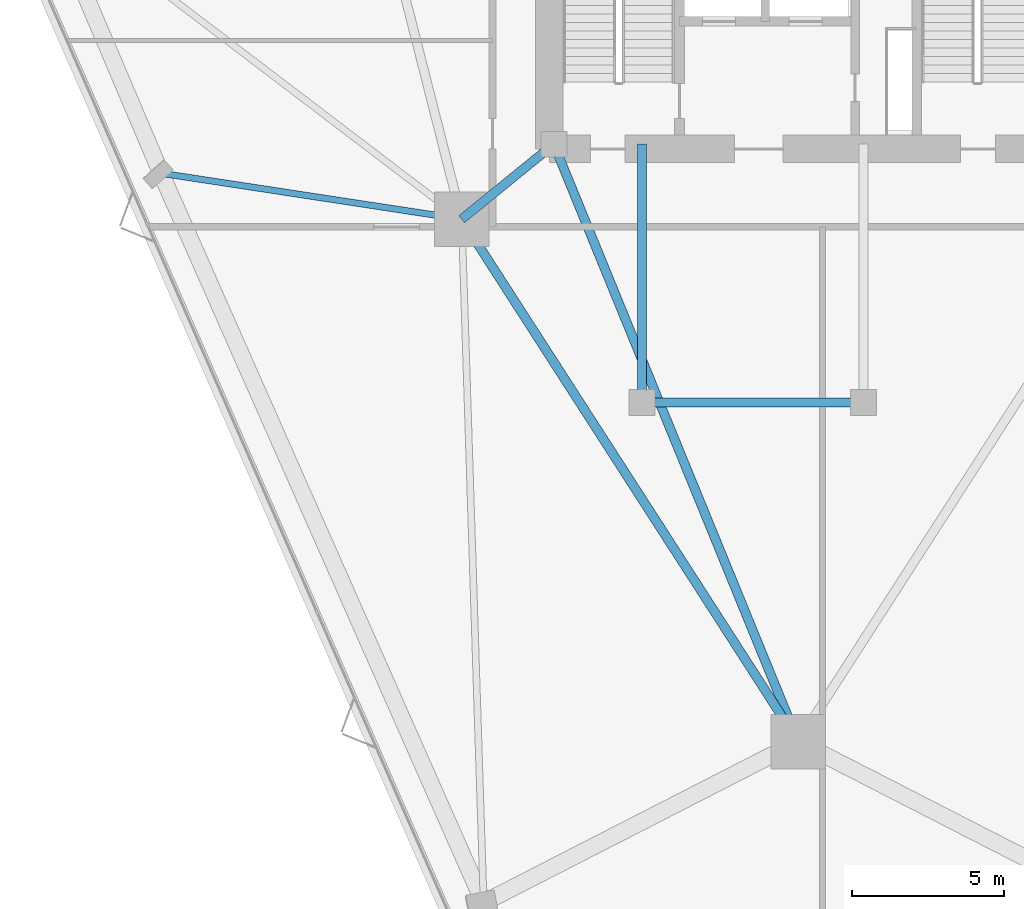
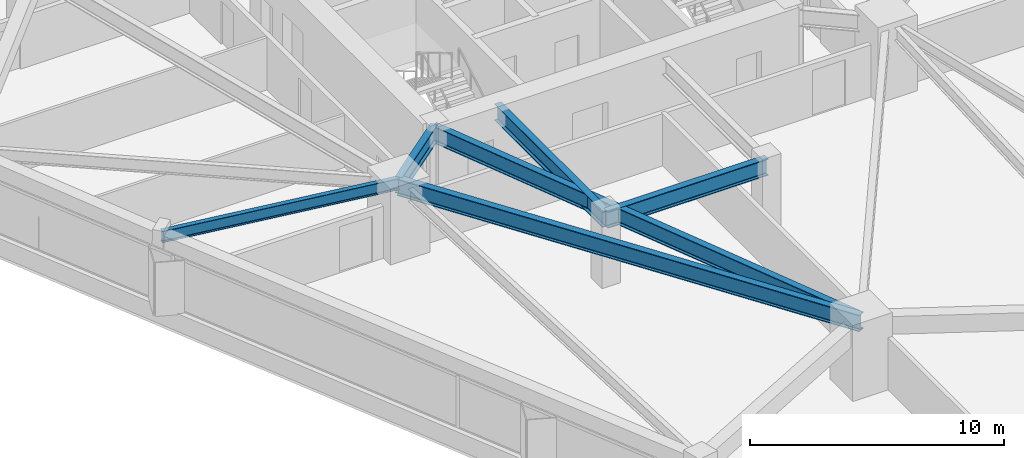
# One storey, part 7 of 20: 6 beams.
"""IFC4 building model written with IfcOpenShell, lengths in metres."""

from ifc_helpers import new_model, si_unit, direction, frame, origin, origin_2d, place, context, subcontext, project, spatial, i_section, extrude, material, material_profile, profile_set, type_object, element, save


model = new_model("IFC4")

# Units and contexts
model_context = context("Model", 3, precision=1e-05, world=origin(), true_north=direction((0.0, 1.0)))
body_context = subcontext(model_context, "Body", "Model", "MODEL_VIEW")
ifc_project = project(units=[si_unit("LENGTHUNIT", "METRE"), si_unit("AREAUNIT", "SQUARE_METRE"), si_unit("VOLUMEUNIT", "CUBIC_METRE"), si_unit("PLANEANGLEUNIT", "RADIAN"), si_unit("MASSUNIT", "GRAM", prefix="KILO")], contexts=[model_context])

# Site, building, storey
site_placement = place(None, origin())
site = spatial("IfcSite", under=ifc_project, at=site_placement, CompositionType="ELEMENT")
building_placement = place(site_placement, origin())
building = spatial("IfcBuilding", under=site, at=building_placement, Name="Talyreon Biosciences Tower", CompositionType="ELEMENT")
storey_placement = place(building_placement, frame((0.0, 0.0, 59.300048828125)))
storey = spatial("IfcBuildingStorey", under=building, at=storey_placement, Name="L15", CompositionType="ELEMENT", Elevation=59.300048828125)

# Beams
ifc_material = material(Name="Steel SM355", Category="steel")
ifc_material_profile_1 = material_profile(ifc_material, i_section(OverallWidth=0.300048828125, OverallDepth=0.800048828125, WebThickness=0.017578125, FlangeThickness=0.032958984375, FilletRadius=0.030029296875, at=origin_2d()), Name="HE800B")
ifc_profile_set_1 = profile_set([ifc_material_profile_1], Name="Steel SM355")
beam_type_1 = type_object("IfcBeamType", Name="SteelGirder_HE800B", PredefinedType="BEAM", material=ifc_profile_set_1)
beam_1_placement = place(storey_placement, frame((54.913818359375, 58.88037109375, 2.974853515625), z_axis=(0.541463723609, -0.840724114092, 0.0), x_axis=(0.840724114092, 0.541463723609, 0.0)))
element("IfcBeam", 1, at=beam_1_placement, inside=storey, type_object=beam_type_1, Name="L15 Mega-Ring Girder 6", PredefinedType="BEAM", context=body_context, shape_type="SweptSolid", body=[
    extrude(i_section(OverallWidth=0.300048828125, OverallDepth=0.800048828125, WebThickness=0.017578125, FlangeThickness=0.032958984375, FilletRadius=0.030029296875, at=origin_2d()), origin(), (0.0, 0.0, 1.0), 20.474365234375),
])
beam_2_placement = place(storey_placement, frame((57.949951171875, 61.35009765625, 2.974853515625), z_axis=(0.378547014545, -0.925582064314, 0.0), x_axis=(0.925582064314, 0.378547014545, 0.0)))
element("IfcBeam", 2, at=beam_2_placement, inside=storey, type_object=beam_type_1, Name="L15 Radial Primary Girder 1", PredefinedType="BEAM", context=body_context, shape_type="SweptSolid", body=[
    extrude(i_section(OverallWidth=0.300048828125, OverallDepth=0.800048828125, WebThickness=0.017578125, FlangeThickness=0.032958984375, FilletRadius=0.030029296875, at=origin_2d()), origin(), (0.0, 0.0, 1.0), 21.265625),
])
beam_3_placement = place(storey_placement, frame((57.949951171875, 61.35009765625, 2.974853515625), z_axis=(-0.775755154013, -0.631034025249, 0.0), x_axis=(0.631034025249, -0.775755154013, 0.0)))
element("IfcBeam", 3, at=beam_3_placement, inside=storey, type_object=beam_type_1, Name="L15 Radial Primary Girder 6", PredefinedType="BEAM", context=body_context, shape_type="SweptSolid", body=[
    extrude(i_section(OverallWidth=0.300048828125, OverallDepth=0.800048828125, WebThickness=0.017578125, FlangeThickness=0.032958984375, FilletRadius=0.030029296875, at=origin_2d()), origin(), (0.0, 0.0, 1.0), 3.913818359375),
])
beam_4_placement = place(storey_placement, frame((60.85009765625, 52.840087890625, 2.974853515625), z_axis=(1.0, 0.0, 0.0), x_axis=(0.0, 1.0, 0.0)))
element("IfcBeam", 4, at=beam_4_placement, inside=storey, type_object=beam_type_1, Name="L15 Crown Shaft Spine Girder S", PredefinedType="BEAM", context=body_context, shape_type="SweptSolid", body=[
    extrude(i_section(OverallWidth=0.300048828125, OverallDepth=0.800048828125, WebThickness=0.017578125, FlangeThickness=0.032958984375, FilletRadius=0.030029296875, at=origin_2d()), origin(), (0.0, 0.0, 1.0), 7.2998046875),
])
beam_5_placement = place(storey_placement, frame((60.85009765625, 52.840087890625, 2.974853515625), z_axis=(0.0, 1.0, 0.0), x_axis=(-1.0, 0.0, 0.0)))
element("IfcBeam", 5, at=beam_5_placement, inside=storey, type_object=beam_type_1, Name="L15 Crown Shaft Tie Girder W", PredefinedType="BEAM", context=body_context, shape_type="SweptSolid", body=[
    extrude(i_section(OverallWidth=0.300048828125, OverallDepth=0.800048828125, WebThickness=0.017578125, FlangeThickness=0.032958984375, FilletRadius=0.030029296875, at=origin_2d()), origin(), (0.0, 0.0, 1.0), 8.510009765625),
])
ifc_material_profile_2 = material_profile(ifc_material, i_section(OverallWidth=0.2099609375, OverallDepth=0.550048828125, WebThickness=0.010986328125, FlangeThickness=0.01708984375, FilletRadius=0.02392578125, at=origin_2d()), Name="IPE550")
ifc_profile_set_2 = profile_set([ifc_material_profile_2], Name="Steel SM355")
beam_type_2 = type_object("IfcBeamType", Name="SteelJoist_IPE550", PredefinedType="JOIST", material=ifc_profile_set_2)
beam_6_placement = place(storey_placement, frame((54.913818359375, 58.88037109375, 3.099853515625), z_axis=(-0.988552654046, 0.150876274404, 0.0), x_axis=(-0.150876274404, -0.988552654046, 0.0)))
element("IfcBeam", 6, at=beam_6_placement, inside=storey, type_object=beam_type_2, Name="L15 Radial Composite Floor Joist PL-SW", PredefinedType="JOIST", context=body_context, shape_type="SweptSolid", body=[
    extrude(i_section(OverallWidth=0.2099609375, OverallDepth=0.550048828125, WebThickness=0.010986328125, FlangeThickness=0.01708984375, FilletRadius=0.02392578125, at=origin_2d()), origin(), (0.0, 0.0, 1.0), 10.021240234375),
])

save(model, "model.ifc")
